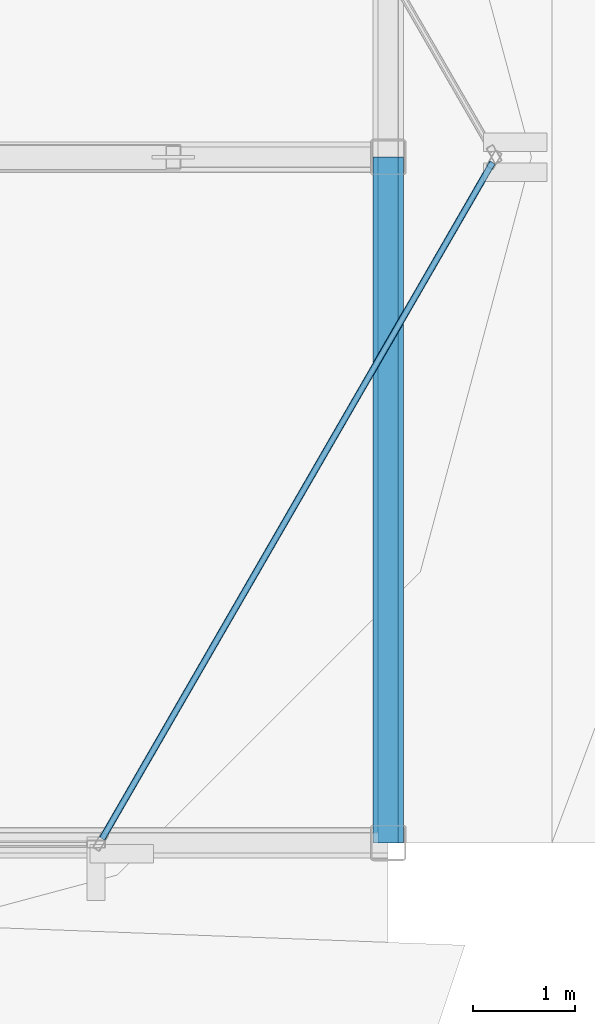
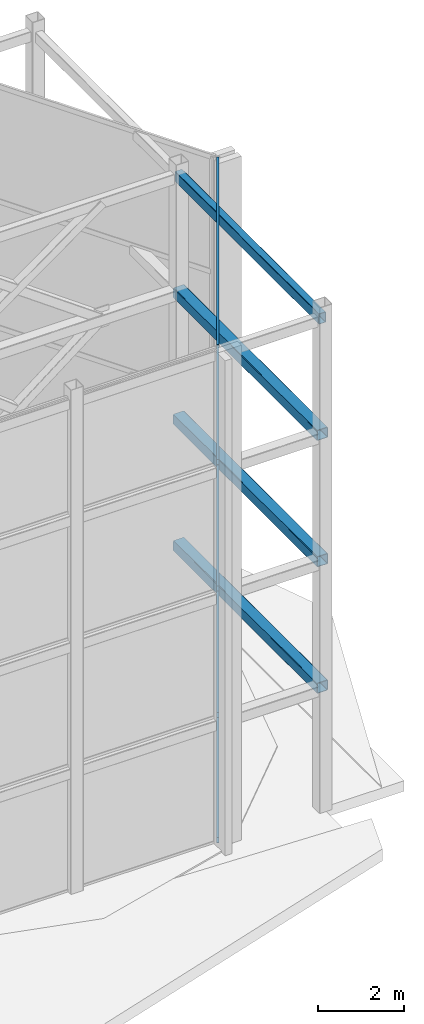
# One storey, part 17 of 24: 5 members, 4 beams, 1 element without a shape of its own.
"""IFC4 building model written with IfcOpenShell, lengths in metres."""

from ifc_helpers import new_model, si_unit, direction, frame, origin, origin_2d, place, context, subcontext, project, spatial, hollow_rectangle, extrude, material, layer, layer_set, material_profile, profile_set, type_object, element, aggregate, save


model = new_model("IFC4")

# Units and contexts
model_context = context("Model", 3, precision=1e-05, world=origin(), true_north=direction((0.0, 1.0)))
body_context = subcontext(model_context, "Body", "Model", "MODEL_VIEW")
ifc_project = project(units=[si_unit("LENGTHUNIT", "METRE"), si_unit("AREAUNIT", "SQUARE_METRE"), si_unit("VOLUMEUNIT", "CUBIC_METRE"), si_unit("PLANEANGLEUNIT", "RADIAN"), si_unit("MASSUNIT", "GRAM", prefix="KILO")], contexts=[model_context])

# Site, building, storey
site_placement = place(None, origin())
site = spatial("IfcSite", under=ifc_project, at=site_placement, CompositionType="ELEMENT")
building_placement = place(site_placement, origin())
building = spatial("IfcBuilding", under=site, at=building_placement, Name="Solvaryn Broadcast Tower", CompositionType="ELEMENT")
storey_placement = place(building_placement, frame((0.0, 0.0, 307.800048828125)))
storey = spatial("IfcBuildingStorey", under=building, at=storey_placement, Name="Roof Main", CompositionType="ELEMENT", Elevation=307.800048828125)

# Beams
ifc_material_1 = material(Name="Steel ASTM A500 Grade C", Category="steel")
ifc_material_profile_1 = material_profile(ifc_material_1, hollow_rectangle(XDim=0.199951171875, YDim=0.300048828125, WallThickness=0.011962890625, InnerFilletRadius=0.011962890625, OuterFilletRadius=0.02392578125, at=origin_2d()))
ifc_profile_set_1 = profile_set([ifc_material_profile_1], Name="Steel ASTM A500 Grade C")
beam_type_1 = type_object("IfcBeamType", Name="BM-CROWN-CAP", PredefinedType="BEAM", material=ifc_profile_set_1)
beam_placement = place(storey_placement, frame((42.800048828125, 11.199951171875, 13.949951171875), z_axis=(0.0, 1.0, 0.0), x_axis=(-1.0, 0.0, 0.0)))
element("IfcBeam", 1, at=beam_placement, inside=storey, type_object=beam_type_1, Name="Roof Main CROWN FRAME Ring Beam ET4-3", PredefinedType="BEAM", context=body_context, shape_type="SweptSolid", body=[
    extrude(hollow_rectangle(XDim=0.199951171875, YDim=0.300048828125, WallThickness=0.011962890625, InnerFilletRadius=0.011962890625, OuterFilletRadius=0.02392578125, at=origin_2d()), origin(), (0.0, 0.0, 1.0), 6.699951171875),
])
ifc_material_2 = material(Name="Steel ASTM A500 Grade C", Category="steel")
ifc_material_profile_2 = material_profile(ifc_material_2, hollow_rectangle(XDim=0.300048828125, YDim=0.300048828125, WallThickness=0.01416015625, InnerFilletRadius=0.01416015625, OuterFilletRadius=0.0283203125, at=origin_2d()))
ifc_profile_set_2 = profile_set([ifc_material_profile_2], Name="Steel ASTM A500 Grade C")
beam_type_2 = type_object("IfcBeamType", Name="BM-CROWN-RING", PredefinedType="BEAM", material=ifc_profile_set_2)
for number, where, z_axis, x_axis, name in (
    (2, (42.800048828125, 11.199951171875, 3.449951171875), (0.0, 1.0, 0.0), (-1.0, 0.0, 0.0), "Roof Main CROWN FRAME Ring Beam ET1-3"),
    (3, (42.800048828125, 11.199951171875, 7.050048828125), (0.0, 1.0, 0.0), (-1.0, 0.0, 0.0), "Roof Main CROWN FRAME Ring Beam ET2-3"),
    (4, (42.800048828125, 11.199951171875, 10.64990234375), (0.0, 1.0, 0.0), (-1.0, 0.0, 0.0), "Roof Main CROWN FRAME Ring Beam ET3-3"),
):
    element("IfcBeam", number, at=place(storey_placement, frame(where, z_axis=z_axis, x_axis=x_axis)), inside=storey, type_object=beam_type_2, Name=name, PredefinedType="BEAM", context=body_context, shape_type="SweptSolid", body=[
        extrude(hollow_rectangle(XDim=0.300048828125, YDim=0.300048828125, WallThickness=0.01416015625, InnerFilletRadius=0.01416015625, OuterFilletRadius=0.0283203125, at=origin_2d()), origin(), (0.0, 0.0, 1.0), 6.699951171875),
    ])

# Curtain wall, members
ifc_material_3 = material(Name="Aluminium and Terracotta Unitised Curtain Wall", Category="masonry")
ifc_layer = layer(ifc_material_3, 0.2099609375)
ifc_layer_set = layer_set([ifc_layer], Name="CW-SYS6-CROWN")
curtain_wall_type = type_object("IfcCurtainWallType", Name="CW-SYS6-CROWN", PredefinedType="NOTDEFINED", material=ifc_layer_set)
curtain_wall_placement = place(storey_placement, origin())
curtain_wall = element("IfcCurtainWall", 5, at=curtain_wall_placement, inside=storey, type_object=curtain_wall_type, Name="Roof Main Split-Top Crown Curtain Wall E6", PredefinedType="NOTDEFINED")
ifc_material_4 = material(Name="Anodised Aluminium 6063-T6", Category="aluminium")
ifc_material_profile_3 = material_profile(ifc_material_4, hollow_rectangle(XDim=0.06494140625, YDim=0.14990234375, WallThickness=0.00390625, InnerFilletRadius=0.00390625, OuterFilletRadius=0.008056640625, at=origin_2d()))
ifc_profile_set_3 = profile_set([ifc_material_profile_3], Name="Anodised Aluminium 6063-T6")
member_type = type_object("IfcMemberType", Name="CW-TRN-150", PredefinedType="USERDEFINED", material=ifc_profile_set_3)
member_1_placement = place(storey_placement, frame((40.0048828125, 11.239990234375, 0.030029296875), z_axis=(0.49999664678, 0.866027339758, 0.0), x_axis=(-0.866027339758, 0.49999664678, 0.0)))
member_1 = element("IfcMember", 6, at=member_1_placement, type_object=member_type, Name="CWS6 transom 1.1", ObjectType="TRANSOM", PredefinedType="USERDEFINED", context=body_context, shape_type="SweptSolid", body=[
    extrude(hollow_rectangle(XDim=0.06494140625, YDim=0.14990234375, WallThickness=0.00390625, InnerFilletRadius=0.00390625, OuterFilletRadius=0.008056640625, at=origin_2d()), origin(), (0.0, 0.0, 1.0), 7.63037109375),
])
member_2_placement = place(storey_placement, frame((40.0048828125, 11.239990234375, 3.599853515625), z_axis=(0.49999664678, 0.866027339758, 0.0), x_axis=(-0.866027339758, 0.49999664678, 0.0)))
member_2 = element("IfcMember", 7, at=member_2_placement, type_object=member_type, Name="CWS6 transom 1.2", ObjectType="TRANSOM", PredefinedType="USERDEFINED", context=body_context, shape_type="SweptSolid", body=[
    extrude(hollow_rectangle(XDim=0.06494140625, YDim=0.14990234375, WallThickness=0.00390625, InnerFilletRadius=0.00390625, OuterFilletRadius=0.008056640625, at=origin_2d()), origin(), (0.0, 0.0, 1.0), 7.63037109375),
])
member_3_placement = place(storey_placement, frame((40.0048828125, 11.239990234375, 7.199951171875), z_axis=(0.49999664678, 0.866027339758, 0.0), x_axis=(-0.866027339758, 0.49999664678, 0.0)))
member_3 = element("IfcMember", 8, at=member_3_placement, type_object=member_type, Name="CWS6 transom 1.3", ObjectType="TRANSOM", PredefinedType="USERDEFINED", context=body_context, shape_type="SweptSolid", body=[
    extrude(hollow_rectangle(XDim=0.06494140625, YDim=0.14990234375, WallThickness=0.00390625, InnerFilletRadius=0.00390625, OuterFilletRadius=0.008056640625, at=origin_2d()), origin(), (0.0, 0.0, 1.0), 7.63037109375),
])
member_4_placement = place(storey_placement, frame((40.0048828125, 11.239990234375, 10.800048828125), z_axis=(0.49999664678, 0.866027339758, 0.0), x_axis=(-0.866027339758, 0.49999664678, 0.0)))
member_4 = element("IfcMember", 9, at=member_4_placement, type_object=member_type, Name="CWS6 transom 1.4", ObjectType="TRANSOM", PredefinedType="USERDEFINED", context=body_context, shape_type="SweptSolid", body=[
    extrude(hollow_rectangle(XDim=0.06494140625, YDim=0.14990234375, WallThickness=0.00390625, InnerFilletRadius=0.00390625, OuterFilletRadius=0.008056640625, at=origin_2d()), origin(), (0.0, 0.0, 1.0), 7.63037109375),
])
member_5_placement = place(storey_placement, frame((40.0048828125, 11.239990234375, 14.070068359375), z_axis=(0.49999664678, 0.866027339758, 0.0), x_axis=(-0.866027339758, 0.49999664678, 0.0)))
member_5 = element("IfcMember", 10, at=member_5_placement, type_object=member_type, Name="CWS6 transom 1.5", ObjectType="TRANSOM", PredefinedType="USERDEFINED", context=body_context, shape_type="SweptSolid", body=[
    extrude(hollow_rectangle(XDim=0.06494140625, YDim=0.14990234375, WallThickness=0.00390625, InnerFilletRadius=0.00390625, OuterFilletRadius=0.008056640625, at=origin_2d()), origin(), (0.0, 0.0, 1.0), 7.63037109375),
])
aggregate(curtain_wall, [member_1, member_2, member_3, member_4, member_5])

save(model, "model.ifc")
